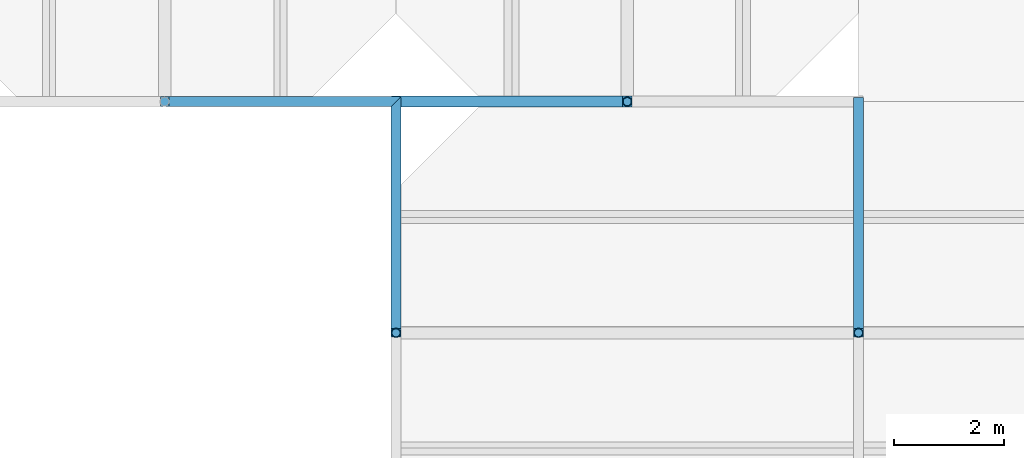
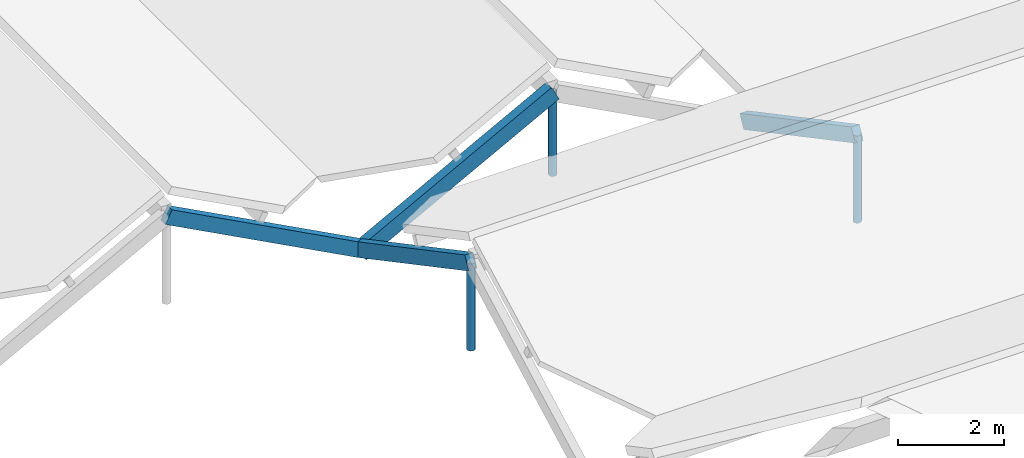
# One storey, part 57 of 82: 7 members.
"""IFC4 building model written with IfcOpenShell, lengths in metres."""

from ifc_helpers import new_model, si_unit, direction, frame, origin, origin_2d, place, context, subcontext, project, spatial, rectangle, hollow_circle, extrude, material, material_profile, profile_set, type_object, element, save


model = new_model("IFC4")

# Units and contexts
model_context = context("Model", 3, precision=1e-05, world=origin(), true_north=direction((0.0, 1.0)))
body_context = subcontext(model_context, "Body", "Model", "MODEL_VIEW")
ifc_project = project(units=[si_unit("LENGTHUNIT", "METRE"), si_unit("AREAUNIT", "SQUARE_METRE"), si_unit("VOLUMEUNIT", "CUBIC_METRE"), si_unit("PLANEANGLEUNIT", "RADIAN"), si_unit("MASSUNIT", "GRAM", prefix="KILO")], contexts=[model_context])

# Site, building, storey
site_placement = place(None, origin())
site = spatial("IfcSite", under=ifc_project, at=site_placement, CompositionType="ELEMENT")
building_placement = place(site_placement, origin())
building = spatial("IfcBuilding", under=site, at=building_placement, Name="Bramfleet General Hospital", CompositionType="ELEMENT")
storey_placement = place(building_placement, frame((0.0, 0.0, 34.199951171875)))
storey = spatial("IfcBuildingStorey", under=building, at=storey_placement, Name="Roof", CompositionType="ELEMENT", Elevation=34.199951171875)

# Members
ifc_material_1 = material(Name="Structural timber GL28h", Category="wood")
ifc_material_profile_1 = material_profile(ifc_material_1, rectangle(XDim=0.179931640625, YDim=0.320068359375, at=origin_2d()), Name="GL28h 320x180")
ifc_profile_set_1 = profile_set([ifc_material_profile_1], Name="Structural timber GL28h")
member_type_1 = type_object("IfcMemberType", Name="MEM-RF-GL320", PredefinedType="RAFTER", material=ifc_profile_set_1)
for number, where, z_axis, x_axis, name in (
    (1, (88.199951171875, 92.39990234375, 1.561279296875), (0.882947536541, 0.0, -0.469471668705), (0.0, 1.0, 0.0), "Patient House PH-02 East Glulam Rafter 0"),
    (2, (92.39990234375, 88.199951171875, 1.561279296875), (0.0, 0.882947536541, -0.469471668705), (-1.0, 0.0, 0.0), "Patient House PH-14 North Glulam Rafter 0"),
    (3, (100.800048828125, 88.199951171875, 1.561279296875), (0.0, 0.882947536541, -0.469471668705), (-1.0, 0.0, 0.0), "Patient House PH-14 North Glulam Rafter 1"),
):
    element("IfcMember", number, at=place(storey_placement, frame(where, z_axis=z_axis, x_axis=x_axis)), inside=storey, type_object=member_type_1, Name=name, PredefinedType="RAFTER", context=body_context, shape_type="SweptSolid", body=[
        extrude(rectangle(XDim=0.179931640625, YDim=0.320068359375, at=origin_2d()), origin(), (0.0, 0.0, 1.0), 4.7568359375),
    ])
ifc_material_profile_2 = material_profile(ifc_material_1, rectangle(XDim=0.199951171875, YDim=0.360107421875, at=origin_2d()), Name="GL28h 360x200")
ifc_profile_set_2 = profile_set([ifc_material_profile_2], Name="Structural timber GL28h")
member_type_2 = type_object("IfcMemberType", Name="MEM-RF-GL360", PredefinedType="RAFTER", material=ifc_profile_set_2)
member_1_placement = place(storey_placement, frame((92.39990234375, 92.39990234375, -0.75634765625), z_axis=(0.882958848035, 0.0, 0.469450394267), x_axis=(0.0, 1.0, 0.0)))
element("IfcMember", 4, at=member_1_placement, inside=storey, type_object=member_type_2, Name="Patient House PH-03 West Glulam Rafter 0", PredefinedType="RAFTER", context=body_context, shape_type="SweptSolid", body=[
    extrude(rectangle(XDim=0.199951171875, YDim=0.360107421875, at=origin_2d()), origin(), (0.0, 0.0, 1.0), 4.7568359375),
])
ifc_material_2 = material(Name="Steel S355", Category="steel")
ifc_material_profile_3 = material_profile(ifc_material_2, hollow_circle(Radius=0.084228515625, WallThickness=0.008056640625, at=origin_2d()), Name="CHS 168.3x8.0")
ifc_profile_set_3 = profile_set([ifc_material_profile_3], Name="Steel S355")
member_type_3 = type_object("IfcMemberType", Name="MEM-SF-DG1", PredefinedType="STRUT", material=ifc_profile_set_3)
member_2_placement = place(storey_placement, frame((96.60009765625, 92.39990234375, -0.43994140625), z_axis=(0.0, 0.0, 1.0), x_axis=(1.0, 0.0, 0.0)))
element("IfcMember", 5, at=member_2_placement, inside=storey, type_object=member_type_3, Name="Patient House PH-03 Ridge Timber Post 0", PredefinedType="STRUT", context=body_context, shape_type="SweptSolid", body=[
    extrude(hollow_circle(Radius=0.084228515625, WallThickness=0.008056640625, at=origin_2d()), origin(), (0.0, 0.0, 1.0), 1.916748046875),
])
for number, where, z_axis, x_axis, name in (
    (6, (92.39990234375, 88.199951171875, -0.43994140625), (0.0, 0.0, 1.0), (1.0, 0.0, 0.0), "Patient House PH-14 Ridge Timber Post 0"),
    (7, (100.800048828125, 88.199951171875, -0.43994140625), (0.0, 0.0, 1.0), (1.0, 0.0, 0.0), "Patient House PH-14 Ridge Timber Post 1"),
):
    element("IfcMember", number, at=place(storey_placement, frame(where, z_axis=z_axis, x_axis=x_axis)), inside=storey, type_object=member_type_3, Name=name, PredefinedType="STRUT", context=body_context, shape_type="SweptSolid", body=[
        extrude(hollow_circle(Radius=0.084228515625, WallThickness=0.008056640625, at=origin_2d()), origin(), (0.0, 0.0, 1.0), 2.001220703125),
    ])

save(model, "model.ifc")
